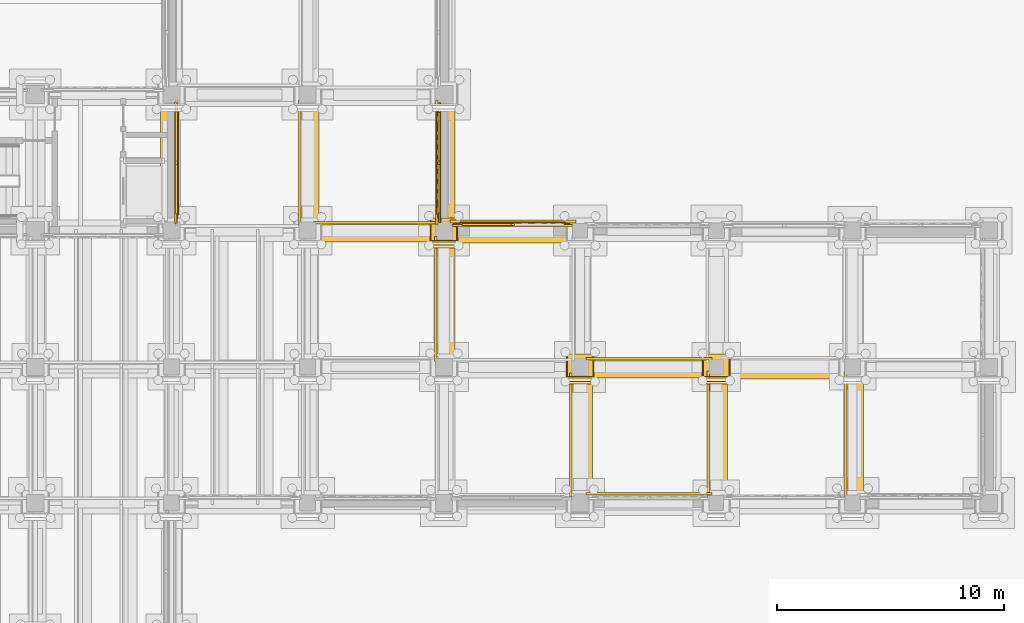
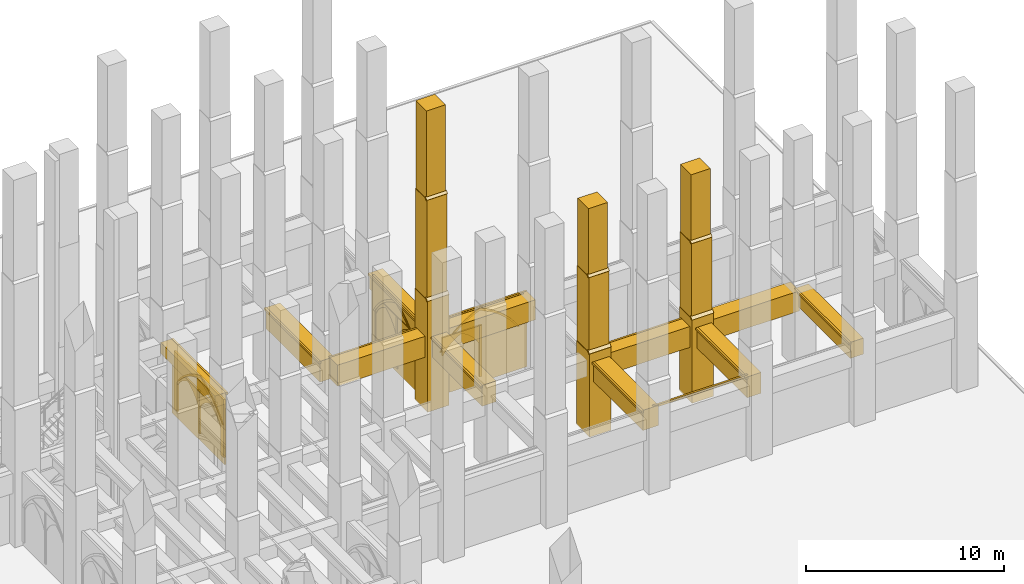
# One storey, part 128 of 135: 54 coverings.
"""IFC4 building model written with IfcOpenShell, lengths in metres."""

from ifc_helpers import new_model, si_unit, direction, frame, origin, origin_2d, place, context, subcontext, project, spatial, polyline, rectangle, outline, extrude, material, type_object, element, save


model = new_model("IFC4")

# Units and contexts
model_context = context("Model", 3, precision=1e-05, world=origin(), true_north=direction((0.0, 1.0)))
body_context = subcontext(model_context, "Body", "Model", "MODEL_VIEW")
ifc_project = project(units=[si_unit("LENGTHUNIT", "METRE"), si_unit("AREAUNIT", "SQUARE_METRE"), si_unit("VOLUMEUNIT", "CUBIC_METRE"), si_unit("PLANEANGLEUNIT", "RADIAN"), si_unit("MASSUNIT", "GRAM", prefix="KILO")], contexts=[model_context])

# Site, building, storey
site_placement = place(None, origin())
site = spatial("IfcSite", under=ifc_project, at=site_placement, CompositionType="ELEMENT")
building_placement = place(site_placement, origin())
building = spatial("IfcBuilding", under=site, at=building_placement, Name="Cumevento Cable Car Station", CompositionType="ELEMENT")
storey_placement = place(building_placement, origin())
storey = spatial("IfcBuildingStorey", under=building, at=storey_placement, Name="L01", CompositionType="ELEMENT", Elevation=0.0)

# Coverings
ifc_material = material(Name="Gnaisse Facoidal Stone Ashlar 85 MPa", Category="masonry")
covering_type = type_object("IfcCoveringType", Name="Gnaisse Ashlar Cladding CV-CL01", PredefinedType="CLADDING", material=ifc_material)
covering_1_placement = place(storey_placement, frame((142.0, 44.909912109375, -0.06005859375), z_axis=(0.0, 0.0, 1.0), x_axis=(1.0, 0.0, 0.0)))
element("IfcCovering", 1, at=covering_1_placement, inside=storey, type_object=covering_type, Name="Stepped Gothic Stone Buttress Tier 1 bt:142.0:45.0", PredefinedType="CLADDING", context=body_context, shape_type="SweptSolid", body=[
    extrude(rectangle(XDim=1.239990234375, YDim=1.300048828125, at=origin_2d()), origin(), (0.0, 0.0, 1.0), 6.885498046875),
])
covering_2_placement = place(storey_placement, frame((141.360107421875, 44.239990234375, 6.8056640625), z_axis=(0.0, -0.711135781079, 0.703054692658), x_axis=(1.0, 0.0, 0.0)))
element("IfcCovering", 2, at=covering_2_placement, inside=storey, type_object=covering_type, Name="Gothic Buttress Sloped Stone Weathering 1 bt:142.0:45.0", PredefinedType="CLADDING", context=body_context, shape_type="SweptSolid", body=[
    extrude(outline(polyline([(0.0, 0.0), (1.27978515625, 0.0), (1.27978515625, 0.24169083397703695), (0.0, 0.24169083397703695), (0.0, 0.0)])), origin(), (0.0, 0.0, -1.0), 0.090087890625),
])
covering_3_placement = place(storey_placement, frame((142.0, 44.969970703125, 6.46337890625), z_axis=(0.0, 0.0, 1.0), x_axis=(1.0, 0.0, 0.0)))
element("IfcCovering", 3, at=covering_3_placement, inside=storey, type_object=covering_type, Name="Stepped Gothic Stone Buttress Tier 2 bt:142.0:45.0", PredefinedType="CLADDING", context=body_context, shape_type="SweptSolid", body=[
    extrude(rectangle(XDim=1.179931640625, YDim=1.179931640625, at=origin_2d()), origin(), (0.0, 0.0, 1.0), 6.523193359375),
])
covering_4_placement = place(storey_placement, frame((141.389892578125, 44.360107421875, 12.96630859375), z_axis=(0.0, -0.714474823669, 0.699661151089), x_axis=(1.0, 0.0, 0.0)))
element("IfcCovering", 4, at=covering_4_placement, inside=storey, type_object=covering_type, Name="Gothic Buttress Sloped Stone Weathering 2 bt:142.0:45.0", PredefinedType="CLADDING", context=body_context, shape_type="SweptSolid", body=[
    extrude(outline(polyline([(0.0, 0.0), (1.22021484375, 0.0), (1.22021484375, 0.21424991728737655), (0.0, 0.21424991728737655), (0.0, 0.0)])), origin(), (0.0, 0.0, -1.0), 0.090087890625),
])
covering_5_placement = place(storey_placement, frame((142.0, 45.02001953125, 12.6240234375), z_axis=(0.0, 0.0, 1.0), x_axis=(1.0, 0.0, 0.0)))
element("IfcCovering", 5, at=covering_5_placement, inside=storey, type_object=covering_type, Name="Stepped Gothic Stone Buttress Tier 3 bt:142.0:45.0", PredefinedType="CLADDING", context=body_context, shape_type="SweptSolid", body=[
    extrude(rectangle(XDim=1.1201171875, YDim=1.080078125, at=origin_2d()), origin(), (0.0, 0.0, 1.0), 5.77587890625),
])
covering_6_placement = place(storey_placement, frame((148.0, 38.909912109375, -0.06005859375), z_axis=(0.0, 0.0, 1.0), x_axis=(1.0, 0.0, 0.0)))
element("IfcCovering", 6, at=covering_6_placement, inside=storey, type_object=covering_type, Name="Stepped Gothic Stone Buttress Tier 1 bt:148.0:39.0", PredefinedType="CLADDING", context=body_context, shape_type="SweptSolid", body=[
    extrude(rectangle(XDim=1.239990234375, YDim=1.300048828125, at=origin_2d()), origin(), (0.0, 0.0, 1.0), 5.175537109375),
])
covering_7_placement = place(storey_placement, frame((147.360107421875, 38.239990234375, 5.095703125), z_axis=(0.0, -0.711135781079, 0.703054692658), x_axis=(1.0, 0.0, 0.0)))
element("IfcCovering", 7, at=covering_7_placement, inside=storey, type_object=covering_type, Name="Gothic Buttress Sloped Stone Weathering 1 bt:148.0:39.0", PredefinedType="CLADDING", context=body_context, shape_type="SweptSolid", body=[
    extrude(outline(polyline([(0.0, 0.0), (1.27978515625, 0.0), (1.27978515625, 0.24169083397703695), (0.0, 0.24169083397703695), (0.0, 0.0)])), origin(), (0.0, 0.0, -1.0), 0.090087890625),
])
covering_8_placement = place(storey_placement, frame((148.0, 38.969970703125, 4.84326171875), z_axis=(0.0, 0.0, 1.0), x_axis=(1.0, 0.0, 0.0)))
element("IfcCovering", 8, at=covering_8_placement, inside=storey, type_object=covering_type, Name="Stepped Gothic Stone Buttress Tier 2 bt:148.0:39.0", PredefinedType="CLADDING", context=body_context, shape_type="SweptSolid", body=[
    extrude(rectangle(XDim=1.179931640625, YDim=1.179931640625, at=origin_2d()), origin(), (0.0, 0.0, 1.0), 4.9033203125),
])
covering_9_placement = place(storey_placement, frame((147.389892578125, 38.360107421875, 9.726318359375), z_axis=(0.0, -0.714474823669, 0.699661151089), x_axis=(1.0, 0.0, 0.0)))
element("IfcCovering", 9, at=covering_9_placement, inside=storey, type_object=covering_type, Name="Gothic Buttress Sloped Stone Weathering 2 bt:148.0:39.0", PredefinedType="CLADDING", context=body_context, shape_type="SweptSolid", body=[
    extrude(outline(polyline([(0.0, 0.0), (1.22021484375, 0.0), (1.22021484375, 0.21424991728737655), (0.0, 0.21424991728737655), (0.0, 0.0)])), origin(), (0.0, 0.0, -1.0), 0.090087890625),
])
covering_10_placement = place(storey_placement, frame((148.0, 39.02001953125, 9.47412109375), z_axis=(0.0, 0.0, 1.0), x_axis=(1.0, 0.0, 0.0)))
element("IfcCovering", 10, at=covering_10_placement, inside=storey, type_object=covering_type, Name="Stepped Gothic Stone Buttress Tier 3 bt:148.0:39.0", PredefinedType="CLADDING", context=body_context, shape_type="SweptSolid", body=[
    extrude(rectangle(XDim=1.1201171875, YDim=1.080078125, at=origin_2d()), origin(), (0.0, 0.0, 1.0), 4.426025390625),
])
covering_11_placement = place(storey_placement, frame((154.0, 38.909912109375, -0.06005859375), z_axis=(0.0, 0.0, 1.0), x_axis=(1.0, 0.0, 0.0)))
element("IfcCovering", 11, at=covering_11_placement, inside=storey, type_object=covering_type, Name="Stepped Gothic Stone Buttress Tier 1 bt:154.0:39.0", PredefinedType="CLADDING", context=body_context, shape_type="SweptSolid", body=[
    extrude(rectangle(XDim=1.239990234375, YDim=1.300048828125, at=origin_2d()), origin(), (0.0, 0.0, 1.0), 5.175537109375),
])
covering_12_placement = place(storey_placement, frame((153.360107421875, 38.239990234375, 5.095703125), z_axis=(0.0, -0.711135781079, 0.703054692658), x_axis=(1.0, 0.0, 0.0)))
element("IfcCovering", 12, at=covering_12_placement, inside=storey, type_object=covering_type, Name="Gothic Buttress Sloped Stone Weathering 1 bt:154.0:39.0", PredefinedType="CLADDING", context=body_context, shape_type="SweptSolid", body=[
    extrude(outline(polyline([(0.0, 0.0), (1.27978515625, 0.0), (1.27978515625, 0.24169083397703695), (0.0, 0.24169083397703695), (0.0, 0.0)])), origin(), (0.0, 0.0, -1.0), 0.090087890625),
])
covering_13_placement = place(storey_placement, frame((154.0, 38.969970703125, 4.84326171875), z_axis=(0.0, 0.0, 1.0), x_axis=(1.0, 0.0, 0.0)))
element("IfcCovering", 13, at=covering_13_placement, inside=storey, type_object=covering_type, Name="Stepped Gothic Stone Buttress Tier 2 bt:154.0:39.0", PredefinedType="CLADDING", context=body_context, shape_type="SweptSolid", body=[
    extrude(rectangle(XDim=1.179931640625, YDim=1.179931640625, at=origin_2d()), origin(), (0.0, 0.0, 1.0), 4.9033203125),
])
covering_14_placement = place(storey_placement, frame((153.389892578125, 38.360107421875, 9.726318359375), z_axis=(0.0, -0.714474823669, 0.699661151089), x_axis=(1.0, 0.0, 0.0)))
element("IfcCovering", 14, at=covering_14_placement, inside=storey, type_object=covering_type, Name="Gothic Buttress Sloped Stone Weathering 2 bt:154.0:39.0", PredefinedType="CLADDING", context=body_context, shape_type="SweptSolid", body=[
    extrude(outline(polyline([(0.0, 0.0), (1.22021484375, 0.0), (1.22021484375, 0.21424991728737655), (0.0, 0.21424991728737655), (0.0, 0.0)])), origin(), (0.0, 0.0, -1.0), 0.090087890625),
])
covering_15_placement = place(storey_placement, frame((154.0, 39.02001953125, 9.47412109375), z_axis=(0.0, 0.0, 1.0), x_axis=(1.0, 0.0, 0.0)))
element("IfcCovering", 15, at=covering_15_placement, inside=storey, type_object=covering_type, Name="Stepped Gothic Stone Buttress Tier 3 bt:154.0:39.0", PredefinedType="CLADDING", context=body_context, shape_type="SweptSolid", body=[
    extrude(rectangle(XDim=1.1201171875, YDim=1.080078125, at=origin_2d()), origin(), (0.0, 0.0, 1.0), 4.426025390625),
])
covering_16_placement = place(storey_placement, frame((151.03759765625, 33.407470703125, 4.400146484375), z_axis=(0.0, 0.0, 1.0), x_axis=(1.0, 0.0, 0.0)))
element("IfcCovering", 16, at=covering_16_placement, inside=storey, type_object=covering_type, Name="Gothic Cornice Dripstone Lip sc:0207", PredefinedType="CLADDING", context=body_context, shape_type="SweptSolid", body=[
    extrude(rectangle(XDim=5.554931640625, YDim=0.114990234375, at=origin_2d()), origin(), (0.0, 0.0, 1.0), 0.1298828125),
])
covering_17_placement = place(storey_placement, frame((151.03759765625, 38.919921875, 3.239990234375), z_axis=(0.0, 0.0, 1.0), x_axis=(1.0, 0.0, 0.0)))
element("IfcCovering", 17, at=covering_17_placement, inside=storey, type_object=covering_type, Name="Gothic Stone Spandrel Stringcourse sc:0212", PredefinedType="CLADDING", context=body_context, shape_type="SweptSolid", body=[
    extrude(rectangle(XDim=5.514892578125, YDim=0.820068359375, at=origin_2d()), origin(), (0.0, 0.0, 1.0), 1.2900390625),
])
covering_18_placement = place(storey_placement, frame((151.03759765625, 39.357421875, 4.400146484375), z_axis=(0.0, 0.0, 1.0), x_axis=(1.0, 0.0, 0.0)))
element("IfcCovering", 18, at=covering_18_placement, inside=storey, type_object=covering_type, Name="Gothic Cornice Dripstone Lip sc:0212", PredefinedType="CLADDING", context=body_context, shape_type="SweptSolid", body=[
    extrude(rectangle(XDim=5.554931640625, YDim=0.114990234375, at=origin_2d()), origin(), (0.0, 0.0, 1.0), 0.1298828125),
])
covering_19_placement = place(storey_placement, frame((156.987548828125, 38.919921875, 3.2900390625), z_axis=(0.0, 0.0, 1.0), x_axis=(1.0, 0.0, 0.0)))
element("IfcCovering", 19, at=covering_19_placement, inside=storey, type_object=covering_type, Name="Gothic Stone Spandrel Stringcourse sc:0213", PredefinedType="CLADDING", context=body_context, shape_type="SweptSolid", body=[
    extrude(rectangle(XDim=5.56494140625, YDim=0.919921875, at=origin_2d()), origin(), (0.0, 0.0, 1.0), 1.239990234375),
])
covering_20_placement = place(storey_placement, frame((138.987548828125, 44.919921875, 3.199951171875), z_axis=(0.0, 0.0, 1.0), x_axis=(1.0, 0.0, 0.0)))
element("IfcCovering", 20, at=covering_20_placement, inside=storey, type_object=covering_type, Name="Gothic Stone Spandrel Stringcourse sc:0215", PredefinedType="CLADDING", context=body_context, shape_type="SweptSolid", body=[
    extrude(rectangle(XDim=5.465087890625, YDim=0.820068359375, at=origin_2d()), origin(), (0.0, 0.0, 1.0), 1.2900390625),
])
covering_21_placement = place(storey_placement, frame((138.987548828125, 45.357421875, 4.360107421875), z_axis=(0.0, 0.0, 1.0), x_axis=(1.0, 0.0, 0.0)))
element("IfcCovering", 21, at=covering_21_placement, inside=storey, type_object=covering_type, Name="Gothic Cornice Dripstone Lip sc:0215", PredefinedType="CLADDING", context=body_context, shape_type="SweptSolid", body=[
    extrude(rectangle(XDim=5.5048828125, YDim=0.114990234375, at=origin_2d()), origin(), (0.0, 0.0, 1.0), 0.1298828125),
])
covering_22_placement = place(storey_placement, frame((145.03759765625, 44.919921875, 3.2900390625), z_axis=(0.0, 0.0, 1.0), x_axis=(1.0, 0.0, 0.0)))
element("IfcCovering", 22, at=covering_22_placement, inside=storey, type_object=covering_type, Name="Gothic Stone Spandrel Stringcourse sc:0216", PredefinedType="CLADDING", context=body_context, shape_type="SweptSolid", body=[
    extrude(rectangle(XDim=5.514892578125, YDim=0.919921875, at=origin_2d()), origin(), (0.0, 0.0, 1.0), 1.239990234375),
])
covering_23_placement = place(storey_placement, frame((145.03759765625, 45.407470703125, 4.400146484375), z_axis=(0.0, 0.0, 1.0), x_axis=(1.0, 0.0, 0.0)))
element("IfcCovering", 23, at=covering_23_placement, inside=storey, type_object=covering_type, Name="Gothic Cornice Dripstone Lip sc:0216", PredefinedType="CLADDING", context=body_context, shape_type="SweptSolid", body=[
    extrude(rectangle(XDim=5.554931640625, YDim=0.114990234375, at=origin_2d()), origin(), (0.0, 0.0, 1.0), 0.1298828125),
])
covering_24_placement = place(storey_placement, frame((142.080078125, 41.987548828125, 3.239990234375), z_axis=(0.0, 0.0, 1.0), x_axis=(0.0, 1.0, 0.0)))
element("IfcCovering", 24, at=covering_24_placement, inside=storey, type_object=covering_type, Name="Gothic Stone Spandrel Stringcourse sc:0221", PredefinedType="CLADDING", context=body_context, shape_type="SweptSolid", body=[
    extrude(rectangle(XDim=5.465087890625, YDim=0.820068359375, at=origin_2d()), origin(), (0.0, 0.0, 1.0), 1.2900390625),
])
covering_25_placement = place(storey_placement, frame((141.642578125, 41.987548828125, 4.400146484375), z_axis=(0.0, 0.0, 1.0), x_axis=(0.0, 1.0, 0.0)))
element("IfcCovering", 25, at=covering_25_placement, inside=storey, type_object=covering_type, Name="Gothic Cornice Dripstone Lip sc:0221", PredefinedType="CLADDING", context=body_context, shape_type="SweptSolid", body=[
    extrude(rectangle(XDim=5.5048828125, YDim=0.114990234375, at=origin_2d()), origin(), (0.0, 0.0, 1.0), 0.1298828125),
])
covering_26_placement = place(storey_placement, frame((148.080078125, 36.0, 3.2900390625), z_axis=(0.0, 0.0, 1.0), x_axis=(0.0, 1.0, 0.0)))
element("IfcCovering", 26, at=covering_26_placement, inside=storey, type_object=covering_type, Name="Gothic Stone Spandrel Stringcourse sc:0222", PredefinedType="CLADDING", context=body_context, shape_type="SweptSolid", body=[
    extrude(rectangle(XDim=5.43994140625, YDim=0.919921875, at=origin_2d()), origin(), (0.0, 0.0, 1.0), 1.239990234375),
])
covering_27_placement = place(storey_placement, frame((147.592529296875, 36.0, 4.400146484375), z_axis=(0.0, 0.0, 1.0), x_axis=(0.0, 1.0, 0.0)))
element("IfcCovering", 27, at=covering_27_placement, inside=storey, type_object=covering_type, Name="Gothic Cornice Dripstone Lip sc:0222", PredefinedType="CLADDING", context=body_context, shape_type="SweptSolid", body=[
    extrude(rectangle(XDim=5.47998046875, YDim=0.114990234375, at=origin_2d()), origin(), (0.0, 0.0, 1.0), 0.1298828125),
])
covering_28_placement = place(storey_placement, frame((154.080078125, 36.0, 3.239990234375), z_axis=(0.0, 0.0, 1.0), x_axis=(0.0, 1.0, 0.0)))
element("IfcCovering", 28, at=covering_28_placement, inside=storey, type_object=covering_type, Name="Gothic Stone Spandrel Stringcourse sc:0224", PredefinedType="CLADDING", context=body_context, shape_type="SweptSolid", body=[
    extrude(rectangle(XDim=5.590087890625, YDim=0.820068359375, at=origin_2d()), origin(), (0.0, 0.0, 1.0), 1.2900390625),
])
covering_29_placement = place(storey_placement, frame((153.642578125, 36.0, 4.400146484375), z_axis=(0.0, 0.0, 1.0), x_axis=(0.0, 1.0, 0.0)))
element("IfcCovering", 29, at=covering_29_placement, inside=storey, type_object=covering_type, Name="Gothic Cornice Dripstone Lip sc:0224", PredefinedType="CLADDING", context=body_context, shape_type="SweptSolid", body=[
    extrude(rectangle(XDim=5.6298828125, YDim=0.114990234375, at=origin_2d()), origin(), (0.0, 0.0, 1.0), 0.1298828125),
])
covering_30_placement = place(storey_placement, frame((160.10009765625, 36.0, 3.5400390625), z_axis=(0.0, 0.0, 1.0), x_axis=(0.0, 1.0, 0.0)))
element("IfcCovering", 30, at=covering_30_placement, inside=storey, type_object=covering_type, Name="Gothic Stone Spandrel Stringcourse sc:0226", PredefinedType="CLADDING", context=body_context, shape_type="SweptSolid", body=[
    extrude(rectangle(XDim=5.5400390625, YDim=0.760009765625, at=origin_2d()), origin(), (0.0, 0.0, 1.0), 0.989990234375),
])
covering_31_placement = place(storey_placement, frame((159.6923828125, 36.0, 4.400146484375), z_axis=(0.0, 0.0, 1.0), x_axis=(0.0, 1.0, 0.0)))
element("IfcCovering", 31, at=covering_31_placement, inside=storey, type_object=covering_type, Name="Gothic Cornice Dripstone Lip sc:0226", PredefinedType="CLADDING", context=body_context, shape_type="SweptSolid", body=[
    extrude(rectangle(XDim=5.580078125, YDim=0.114990234375, at=origin_2d()), origin(), (0.0, 0.0, 1.0), 0.1298828125),
])
covering_32_placement = place(storey_placement, frame((129.851318359375, 48.0, 3.7958984375), z_axis=(0.0, 0.0, 1.0), x_axis=(0.0, -1.0, 0.0)))
element("IfcCovering", 32, at=covering_32_placement, inside=storey, type_object=covering_type, Name="Gothic Stone Spandrel Stringcourse sc:0232", PredefinedType="CLADDING", context=body_context, shape_type="SweptSolid", body=[
    extrude(rectangle(XDim=5.489990234375, YDim=0.66259765625, at=origin_2d()), origin(), (0.0, 0.0, 1.0), 0.694091796875),
])
covering_33_placement = place(storey_placement, frame((130.2099609375, 48.0, 4.360107421875), z_axis=(0.0, 0.0, 1.0), x_axis=(0.0, -1.0, 0.0)))
element("IfcCovering", 33, at=covering_33_placement, inside=storey, type_object=covering_type, Name="Gothic Cornice Dripstone Lip sc:0232", PredefinedType="CLADDING", context=body_context, shape_type="SweptSolid", body=[
    extrude(rectangle(XDim=5.530029296875, YDim=0.114990234375, at=origin_2d()), origin(), (0.0, 0.0, 1.0), 0.1298828125),
])
covering_34_placement = place(storey_placement, frame((136.080078125, 48.0, 3.199951171875), z_axis=(0.0, 0.0, 1.0), x_axis=(0.0, 1.0, 0.0)))
element("IfcCovering", 34, at=covering_34_placement, inside=storey, type_object=covering_type, Name="Gothic Stone Spandrel Stringcourse sc:0238", PredefinedType="CLADDING", context=body_context, shape_type="SweptSolid", body=[
    extrude(rectangle(XDim=5.489990234375, YDim=0.820068359375, at=origin_2d()), origin(), (0.0, 0.0, 1.0), 1.2900390625),
])
covering_35_placement = place(storey_placement, frame((135.642578125, 48.0, 4.360107421875), z_axis=(0.0, 0.0, 1.0), x_axis=(0.0, 1.0, 0.0)))
element("IfcCovering", 35, at=covering_35_placement, inside=storey, type_object=covering_type, Name="Gothic Cornice Dripstone Lip sc:0238", PredefinedType="CLADDING", context=body_context, shape_type="SweptSolid", body=[
    extrude(rectangle(XDim=5.530029296875, YDim=0.114990234375, at=origin_2d()), origin(), (0.0, 0.0, 1.0), 0.1298828125),
])
covering_36_placement = place(storey_placement, frame((142.10009765625, 48.0, 3.5400390625), z_axis=(0.0, 0.0, 1.0), x_axis=(0.0, 1.0, 0.0)))
element("IfcCovering", 36, at=covering_36_placement, inside=storey, type_object=covering_type, Name="Gothic Stone Spandrel Stringcourse sc:0240", PredefinedType="CLADDING", context=body_context, shape_type="SweptSolid", body=[
    extrude(rectangle(XDim=5.43994140625, YDim=0.760009765625, at=origin_2d()), origin(), (0.0, 0.0, 1.0), 0.989990234375),
])
covering_37_placement = place(storey_placement, frame((141.6923828125, 48.0, 4.400146484375), z_axis=(0.0, 0.0, 1.0), x_axis=(0.0, 1.0, 0.0)))
element("IfcCovering", 37, at=covering_37_placement, inside=storey, type_object=covering_type, Name="Gothic Cornice Dripstone Lip sc:0240", PredefinedType="CLADDING", context=body_context, shape_type="SweptSolid", body=[
    extrude(rectangle(XDim=5.47998046875, YDim=0.114990234375, at=origin_2d()), origin(), (0.0, 0.0, 1.0), 0.1298828125),
])
covering_38_placement = place(storey_placement, frame((142.39990234375, 45.0, 0.0), z_axis=(0.0, 0.0, 1.0), x_axis=(1.0, 0.0, 0.0)))
element("IfcCovering", 38, at=covering_38_placement, inside=storey, type_object=covering_type, Name="Exterior Gnaisse Stone Wall Ashlar #83", PredefinedType="CLADDING", context=body_context, shape_type="SweptSolid", body=[
    extrude(outline(polyline([(-0.0400390625, -0.02001953125), (5.31494140625, -0.02001953125), (5.31494140625, 4.52001953125), (-0.0400390625, 4.52001953125), (-0.0400390625, -0.02001953125)])), frame((0.0, 0.27490234375, 0.0), z_axis=(0.0, -1.0, 0.0), x_axis=(1.0, 0.0, 0.0)), (0.0, 0.0, 1.0), 0.0849609375),
])
placement_1 = place(storey_placement, frame((142.580078125, 45.0, 0.300048828125), z_axis=(0.0, 0.0, 1.0), x_axis=(1.0, 0.0, 0.0)))
element("IfcCovering", 39, at=placement_1, inside=storey, type_object=covering_type, Name="Gothic Ogival Pointed-Arch Stone Spandrel blind_ogival:0083", PredefinedType="CLADDING", context=body_context, shape_type="SweptSolid", body=[
    extrude(outline(polyline([(-0.050048828125, 0.0), (-0.050048828125, 4.239990234375), (4.965087890625, 4.239990234375), (4.965087890625, 0.0), (4.655029296875, 0.0), (4.655029296875, 2.219970703125), (4.41748046875, 2.55712890625), (4.150390625, 2.87158203125), (3.856201171875, 3.16064453125), (3.537109375, 3.421875), (3.19580078125, 3.653564453125), (2.8349609375, 3.853515625), (2.45751953125, 4.02001953125), (2.080078125, 3.853515625), (1.71923828125, 3.653564453125), (1.3779296875, 3.421875), (1.058837890625, 3.16064453125), (0.7646484375, 2.87158203125), (0.49755859375, 2.55712890625), (0.260009765625, 2.219970703125), (0.260009765625, 0.0), (-0.050048828125, 0.0)])), frame((0.0, 0.330078125, 0.0), z_axis=(0.0, -1.0, 0.0), x_axis=(1.0, 0.0, 0.0)), (0.0, 0.0, 1.0), 0.110107421875),
])
covering_40_placement = place(storey_placement, frame((142.580078125, 45.0, 2.52001953125), z_axis=(0.0, 0.0, 1.0), x_axis=(1.0, 0.0, 0.0)))
element("IfcCovering", 40, at=covering_40_placement, inside=storey, type_object=covering_type, Name="Gothic Pointed Archivolt Hood Moulding blind_ogival:0083", PredefinedType="CLADDING", context=body_context, shape_type="SweptSolid", body=[
    extrude(outline(polyline([(0.260009765625, 0.0), (0.49755859375, 0.337158203125), (0.7646484375, 0.651611328125), (1.058837890625, 0.940673828125), (1.3779296875, 1.201904296875), (1.71923828125, 1.43359375), (2.080078125, 1.633544921875), (2.45751953125, 1.800048828125), (2.8349609375, 1.633544921875), (3.19580078125, 1.43359375), (3.537109375, 1.201904296875), (3.856201171875, 0.940673828125), (4.150390625, 0.651611328125), (4.41748046875, 0.337158203125), (4.655029296875, 0.0), (4.77587890625, 0.0), (4.529052734375, 0.364501953125), (4.249755859375, 0.704833984375), (3.9404296875, 1.01806640625), (3.603515625, 1.3017578125), (3.241943359375, 1.552978515625), (2.85888671875, 1.770263671875), (2.45751953125, 1.951171875), (2.05615234375, 1.770263671875), (1.673095703125, 1.552978515625), (1.3115234375, 1.3017578125), (0.974609375, 1.01806640625), (0.665283203125, 0.704833984375), (0.385986328125, 0.364501953125), (0.138916015625, 0.0), (0.260009765625, 0.0)])), frame((0.0, 0.3720703125, 0.0), z_axis=(0.0, -1.0, 0.0), x_axis=(1.0, 0.0, 0.0)), (0.0, 0.0, 1.0), 0.06689453125),
])
element("IfcCovering", 41, at=placement_1, inside=storey, type_object=covering_type, Name="Gothic Bifora Stone Colonnette blind_ogival:0083 #1", PredefinedType="CLADDING", context=body_context, shape_type="SweptSolid", body=[
    extrude(outline(polyline([(2.382568359375, -0.02001953125), (2.532470703125, -0.02001953125), (2.532470703125, 3.156005859375), (2.382568359375, 3.156005859375), (2.382568359375, -0.02001953125)])), frame((0.0, 0.318115234375, 0.0), z_axis=(0.0, -1.0, 0.0), x_axis=(1.0, 0.0, 0.0)), (0.0, 0.0, 1.0), 0.094970703125),
])
covering_42_placement = place(storey_placement, frame((142.81005859375, 45.0, 2.340087890625), z_axis=(0.0, 0.0, 1.0), x_axis=(1.0, 0.0, 0.0)))
element("IfcCovering", 42, at=covering_42_placement, inside=storey, type_object=covering_type, Name="Gothic Ogival Pointed-Arch Stone Spandrel blind_ogival:0083:sub:0", PredefinedType="CLADDING", context=body_context, shape_type="SweptSolid", body=[
    extrude(outline(polyline([(-0.02001953125, 0.0), (-0.02001953125, 1.115966796875), (2.202392578125, 1.115966796875), (2.202392578125, 0.0), (2.142578125, 0.0), (2.02001953125, 0.21337890625), (1.873291015625, 0.4111328125), (1.704833984375, 0.590576171875), (1.5166015625, 0.749267578125), (1.31103515625, 0.885009765625), (1.09130859375, 0.99609375), (0.87158203125, 0.885009765625), (0.666015625, 0.749267578125), (0.477783203125, 0.590576171875), (0.309326171875, 0.4111328125), (0.16259765625, 0.21337890625), (0.0400390625, 0.0), (-0.02001953125, 0.0)])), frame((0.0, 0.31396484375, 0.0), z_axis=(0.0, -1.0, 0.0), x_axis=(1.0, 0.0, 0.0)), (0.0, 0.0, 1.0), 0.090087890625),
])
covering_43_placement = place(storey_placement, frame((142.0, 45.39990234375, 0.0), z_axis=(0.0, 0.0, 1.0), x_axis=(0.0, 1.0, 0.0)))
element("IfcCovering", 43, at=covering_43_placement, inside=storey, type_object=covering_type, Name="Exterior Gnaisse Stone Wall Ashlar #103", PredefinedType="CLADDING", context=body_context, shape_type="SweptSolid", body=[
    extrude(outline(polyline([(-0.0400390625, -0.02001953125), (5.239990234375, -0.02001953125), (5.239990234375, 4.52001953125), (-0.0400390625, 4.52001953125), (-0.0400390625, -0.02001953125)])), frame((0.0, 0.22509765625, 0.0), z_axis=(0.0, -1.0, 0.0), x_axis=(1.0, 0.0, 0.0)), (0.0, 0.0, 1.0), 0.0849609375),
])
placement_2 = place(storey_placement, frame((142.0, 45.580078125, 0.300048828125), z_axis=(0.0, 0.0, 1.0), x_axis=(0.0, 1.0, 0.0)))
element("IfcCovering", 44, at=placement_2, inside=storey, type_object=covering_type, Name="Gothic Ogival Pointed-Arch Stone Spandrel blind_ogival:0103", PredefinedType="CLADDING", context=body_context, shape_type="SweptSolid", body=[
    extrude(outline(polyline([(-0.050048828125, 0.0), (-0.050048828125, 4.239990234375), (4.889892578125, 4.239990234375), (4.889892578125, 0.0), (4.580078125, 0.0), (4.580078125, 2.219970703125), (4.3486328125, 2.556640625), (4.087646484375, 2.87060546875), (3.799072265625, 3.15966796875), (3.4853515625, 3.421142578125), (3.14892578125, 3.653076171875), (2.79296875, 3.85302734375), (2.419921875, 4.02001953125), (2.047119140625, 3.85302734375), (1.691162109375, 3.653076171875), (1.354736328125, 3.421142578125), (1.041015625, 3.15966796875), (0.75244140625, 2.87060546875), (0.491455078125, 2.556640625), (0.260009765625, 2.219970703125), (0.260009765625, 0.0), (-0.050048828125, 0.0)])), frame((0.0, 0.280029296875, 0.0), z_axis=(0.0, -1.0, 0.0), x_axis=(1.0, 0.0, 0.0)), (0.0, 0.0, 1.0), 0.110107421875),
])
covering_45_placement = place(storey_placement, frame((142.0, 45.580078125, 2.52001953125), z_axis=(0.0, 0.0, 1.0), x_axis=(0.0, 1.0, 0.0)))
element("IfcCovering", 45, at=covering_45_placement, inside=storey, type_object=covering_type, Name="Gothic Pointed Archivolt Hood Moulding blind_ogival:0103", PredefinedType="CLADDING", context=body_context, shape_type="SweptSolid", body=[
    extrude(outline(polyline([(0.260009765625, 0.0), (0.491455078125, 0.336669921875), (0.75244140625, 0.650634765625), (1.041015625, 0.939697265625), (1.354736328125, 1.201171875), (1.691162109375, 1.43310546875), (2.047119140625, 1.633056640625), (2.419921875, 1.800048828125), (2.79296875, 1.633056640625), (3.14892578125, 1.43310546875), (3.4853515625, 1.201171875), (3.799072265625, 0.939697265625), (4.087646484375, 0.650634765625), (4.3486328125, 0.336669921875), (4.580078125, 0.0), (4.700927734375, 0.0), (4.46044921875, 0.364013671875), (4.18701171875, 0.7041015625), (3.88330078125, 1.017333984375), (3.5517578125, 1.30078125), (3.1953125, 1.552490234375), (2.81689453125, 1.77001953125), (2.419921875, 1.951171875), (2.023193359375, 1.77001953125), (1.644775390625, 1.552490234375), (1.288330078125, 1.30078125), (0.956787109375, 1.017333984375), (0.653076171875, 0.7041015625), (0.379638671875, 0.364013671875), (0.138916015625, 0.0), (0.260009765625, 0.0)])), frame((0.0, 0.322021484375, 0.0), z_axis=(0.0, -1.0, 0.0), x_axis=(1.0, 0.0, 0.0)), (0.0, 0.0, 1.0), 0.06689453125),
])
element("IfcCovering", 46, at=placement_2, inside=storey, type_object=covering_type, Name="Gothic Bifora Stone Colonnette blind_ogival:0103 #1", PredefinedType="CLADDING", context=body_context, shape_type="SweptSolid", body=[
    extrude(outline(polyline([(2.344970703125, -0.02001953125), (2.4951171875, -0.02001953125), (2.4951171875, 3.156005859375), (2.344970703125, 3.156005859375), (2.344970703125, -0.02001953125)])), frame((0.0, 0.26806640625, 0.0), z_axis=(0.0, -1.0, 0.0), x_axis=(1.0, 0.0, 0.0)), (0.0, 0.0, 1.0), 0.094970703125),
])
for number, where, z_axis, x_axis, name in (
    (47, (142.0, 45.81005859375, 2.340087890625), (0.0, 0.0, 1.0), (0.0, 1.0, 0.0), "Gothic Ogival Pointed-Arch Stone Spandrel blind_ogival:0103:sub:0"),
    (48, (142.0, 48.044921875, 2.340087890625), (0.0, 0.0, 1.0), (0.0, 1.0, 0.0), "Gothic Ogival Pointed-Arch Stone Spandrel blind_ogival:0103:sub:1"),
):
    element("IfcCovering", number, at=place(storey_placement, frame(where, z_axis=z_axis, x_axis=x_axis)), inside=storey, type_object=covering_type, Name=name, PredefinedType="CLADDING", context=body_context, shape_type="SweptSolid", body=[
        extrude(outline(polyline([(-0.02001953125, 0.0), (-0.02001953125, 1.115966796875), (2.1650390625, 1.115966796875), (2.1650390625, 0.0), (2.10498046875, 0.0), (1.986083984375, 0.213134765625), (1.843017578125, 0.41064453125), (1.677490234375, 0.590087890625), (1.492431640625, 0.748779296875), (1.289794921875, 0.884765625), (1.072509765625, 0.99609375), (0.855224609375, 0.884765625), (0.652587890625, 0.748779296875), (0.467529296875, 0.590087890625), (0.302001953125, 0.41064453125), (0.158935546875, 0.213134765625), (0.0400390625, 0.0), (-0.02001953125, 0.0)])), frame((0.0, 0.263916015625, 0.0), z_axis=(0.0, -1.0, 0.0), x_axis=(1.0, 0.0, 0.0)), (0.0, 0.0, 1.0), 0.090087890625),
    ])
covering_47_placement = place(storey_placement, frame((130.0, 50.625, 0.0), z_axis=(0.0, 0.0, 1.0), x_axis=(0.0, -1.0, 0.0)))
element("IfcCovering", 49, at=covering_47_placement, inside=storey, type_object=covering_type, Name="Exterior Gnaisse Stone Wall Ashlar #172", PredefinedType="CLADDING", context=body_context, shape_type="SweptSolid", body=[
    extrude(outline(polyline([(-0.0400390625, -0.02001953125), (5.2900390625, -0.02001953125), (5.2900390625, 3.8759765625), (-0.0400390625, 3.8759765625), (-0.0400390625, -0.02001953125)])), frame((0.0, 0.222412109375, 0.0), z_axis=(0.0, -1.0, 0.0), x_axis=(1.0, 0.0, 0.0)), (0.0, 0.0, 1.0), 0.0849609375),
])
placement_3 = place(storey_placement, frame((130.0, 50.445068359375, 0.300048828125), z_axis=(0.0, 0.0, 1.0), x_axis=(0.0, -1.0, 0.0)))
element("IfcCovering", 50, at=placement_3, inside=storey, type_object=covering_type, Name="Gothic Ogival Pointed-Arch Stone Spandrel blind_ogival:0172", PredefinedType="CLADDING", context=body_context, shape_type="SweptSolid", body=[
    extrude(outline(polyline([(-0.050048828125, 0.0), (-0.050048828125, 3.595947265625), (4.93994140625, 3.595947265625), (4.93994140625, 0.0), (4.6298828125, 0.0), (4.6298828125, 1.859375), (4.374755859375, 2.1474609375), (4.097412109375, 2.414306640625), (3.7998046875, 2.658203125), (3.483642578125, 2.877685546875), (3.151123046875, 3.0712890625), (2.803955078125, 3.23779296875), (2.445068359375, 3.3759765625), (2.0859375, 3.23779296875), (1.73876953125, 3.0712890625), (1.40625, 2.877685546875), (1.090087890625, 2.658203125), (0.79248046875, 2.414306640625), (0.51513671875, 2.1474609375), (0.260009765625, 1.859375), (0.260009765625, 0.0), (-0.050048828125, 0.0)])), frame((0.0, 0.277587890625, 0.0), z_axis=(0.0, -1.0, 0.0), x_axis=(1.0, 0.0, 0.0)), (0.0, 0.0, 1.0), 0.110107421875),
])
covering_49_placement = place(storey_placement, frame((130.0, 50.445068359375, 2.159423828125), z_axis=(0.0, 0.0, 1.0), x_axis=(0.0, -1.0, 0.0)))
element("IfcCovering", 51, at=covering_49_placement, inside=storey, type_object=covering_type, Name="Gothic Pointed Archivolt Hood Moulding blind_ogival:0172", PredefinedType="CLADDING", context=body_context, shape_type="SweptSolid", body=[
    extrude(outline(polyline([(0.260009765625, 0.0), (0.51513671875, 0.2880859375), (0.79248046875, 0.554931640625), (1.090087890625, 0.798828125), (1.40625, 1.018310546875), (1.73876953125, 1.2119140625), (2.0859375, 1.37841796875), (2.445068359375, 1.5166015625), (2.803955078125, 1.37841796875), (3.151123046875, 1.2119140625), (3.483642578125, 1.018310546875), (3.7998046875, 0.798828125), (4.097412109375, 0.554931640625), (4.374755859375, 0.2880859375), (4.6298828125, 0.0), (4.7509765625, 0.0), (4.486083984375, 0.31591796875), (4.1962890625, 0.60888671875), (3.88330078125, 0.876953125), (3.54931640625, 1.118408203125), (3.19677734375, 1.331787109375), (2.82763671875, 1.515380859375), (2.445068359375, 1.66796875), (2.062255859375, 1.515380859375), (1.693115234375, 1.331787109375), (1.340576171875, 1.118408203125), (1.006591796875, 0.876953125), (0.693603515625, 0.60888671875), (0.40380859375, 0.31591796875), (0.138916015625, 0.0), (0.260009765625, 0.0)])), frame((0.0, 0.319580078125, 0.0), z_axis=(0.0, -1.0, 0.0), x_axis=(1.0, 0.0, 0.0)), (0.0, 0.0, 1.0), 0.06689453125),
])
element("IfcCovering", 52, at=placement_3, inside=storey, type_object=covering_type, Name="Gothic Bifora Stone Colonnette blind_ogival:0172 #1", PredefinedType="CLADDING", context=body_context, shape_type="SweptSolid", body=[
    extrude(outline(polyline([(2.3701171875, -0.02001953125), (2.52001953125, -0.02001953125), (2.52001953125, 2.64794921875), (2.3701171875, 2.64794921875), (2.3701171875, -0.02001953125)])), frame((0.0, 0.265380859375, 0.0), z_axis=(0.0, -1.0, 0.0), x_axis=(1.0, 0.0, 0.0)), (0.0, 0.0, 1.0), 0.094970703125),
])
for number, where, z_axis, x_axis, name in (
    (53, (130.0, 50.215087890625, 1.9794921875), (0.0, 0.0, 1.0), (0.0, -1.0, 0.0), "Gothic Ogival Pointed-Arch Stone Spandrel blind_ogival:0172:sub:0"),
    (54, (130.0, 47.955078125, 1.9794921875), (0.0, 0.0, 1.0), (0.0, -1.0, 0.0), "Gothic Ogival Pointed-Arch Stone Spandrel blind_ogival:0172:sub:1"),
):
    element("IfcCovering", number, at=place(storey_placement, frame(where, z_axis=z_axis, x_axis=x_axis)), inside=storey, type_object=covering_type, Name=name, PredefinedType="CLADDING", context=body_context, shape_type="SweptSolid", body=[
        extrude(outline(polyline([(-0.02001953125, 0.0), (-0.02001953125, 0.968505859375), (2.18994140625, 0.968505859375), (2.18994140625, 0.0), (2.1298828125, 0.0), (1.99609375, 0.1845703125), (1.84375, 0.354248046875), (1.674560546875, 0.5068359375), (1.490234375, 0.64111328125), (1.29296875, 0.755615234375), (1.0849609375, 0.8486328125), (0.876953125, 0.755615234375), (0.6796875, 0.64111328125), (0.495361328125, 0.5068359375), (0.326171875, 0.354248046875), (0.173828125, 0.1845703125), (0.0400390625, 0.0), (-0.02001953125, 0.0)])), frame((0.0, 0.261474609375, 0.0), z_axis=(0.0, -1.0, 0.0), x_axis=(1.0, 0.0, 0.0)), (0.0, 0.0, 1.0), 0.090087890625),
    ])

save(model, "model.ifc")
